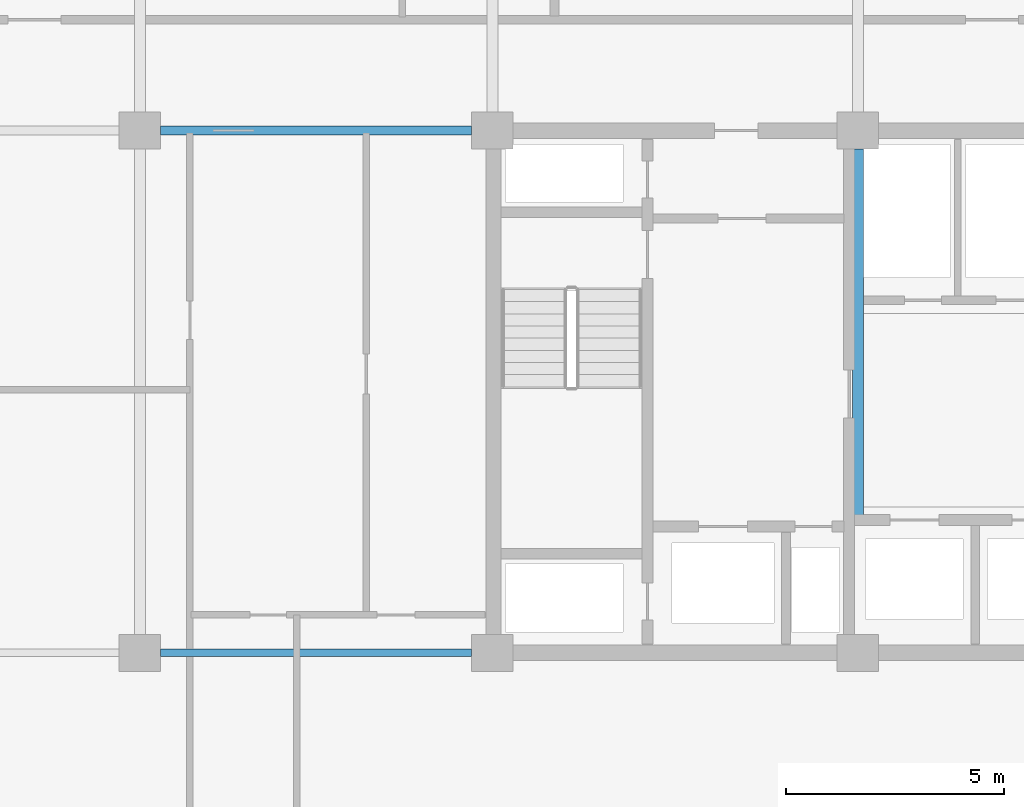
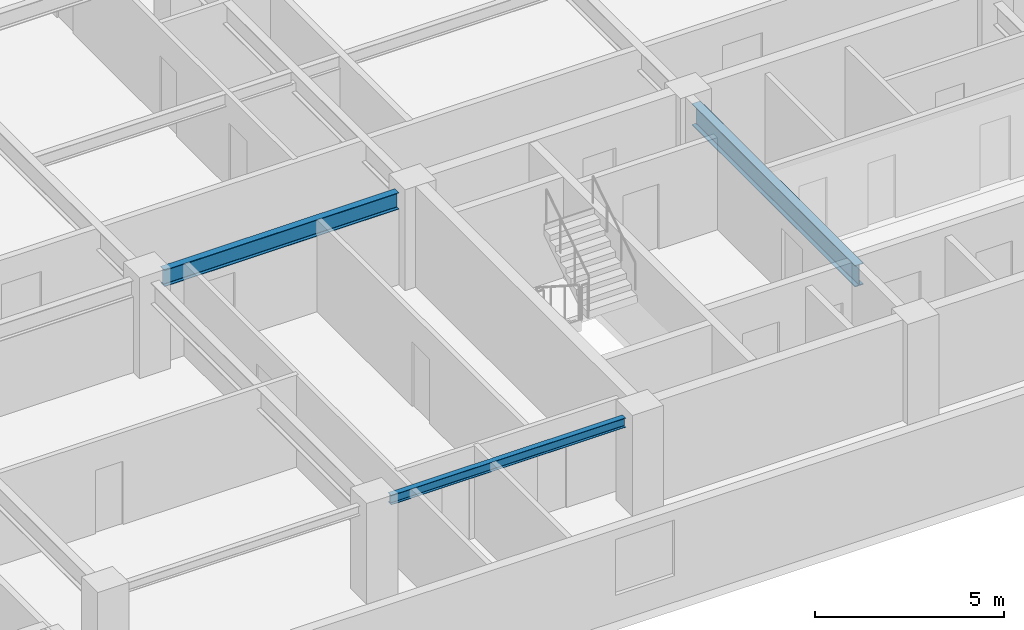
# One storey, part 11 of 38: 3 beams.
"""IFC4 building model written with IfcOpenShell, lengths in metres."""

from ifc_helpers import new_model, si_unit, direction, frame, origin, origin_2d, place, context, subcontext, project, spatial, i_section, extrude, material, material_profile, profile_set, type_object, element, save


model = new_model("IFC4")

# Units and contexts
model_context = context("Model", 3, precision=1e-05, world=origin(), true_north=direction((0.0, 1.0)))
body_context = subcontext(model_context, "Body", "Model", "MODEL_VIEW")
ifc_project = project(units=[si_unit("LENGTHUNIT", "METRE"), si_unit("AREAUNIT", "SQUARE_METRE"), si_unit("VOLUMEUNIT", "CUBIC_METRE"), si_unit("PLANEANGLEUNIT", "RADIAN"), si_unit("MASSUNIT", "GRAM", prefix="KILO")], contexts=[model_context])

# Site, building, storey
site_placement = place(None, origin())
site = spatial("IfcSite", under=ifc_project, at=site_placement, CompositionType="ELEMENT")
building_placement = place(site_placement, origin())
building = spatial("IfcBuilding", under=site, at=building_placement, Name="Korimba Cascade Residences", CompositionType="ELEMENT")
storey_placement = place(building_placement, frame((0.0, 0.0, 93.800048828125)))
storey = spatial("IfcBuildingStorey", under=building, at=storey_placement, Name="L26", CompositionType="ELEMENT", Elevation=93.800048828125)

# Beams
ifc_material = material(Name="Steel S355", Category="steel")
ifc_material_profile_1 = material_profile(ifc_material, i_section(OverallWidth=0.165771484375, OverallDepth=0.306640625, WebThickness=0.006591796875, FlangeThickness=0.01171875, FilletRadius=0.0087890625, at=origin_2d()), Name="Steel S355")
ifc_profile_set_1 = profile_set([ifc_material_profile_1], Name="Steel S355")
beam_type_1 = type_object("IfcBeamType", Name="BM-STL-UB305", PredefinedType="SPANDREL", material=ifc_profile_set_1)
beam_1_placement = place(storey_placement, frame((68.47509765625, 55.199951171875, 2.816650390625), z_axis=(1.0, 0.0, 0.0), x_axis=(0.0, 1.0, 0.0)))
element("IfcBeam", 1, at=beam_1_placement, inside=storey, type_object=beam_type_1, Name="L26 T1 E-W Girder Y1 Bay 2", PredefinedType="SPANDREL", context=body_context, shape_type="SweptSolid", body=[
    extrude(i_section(OverallWidth=0.165771484375, OverallDepth=0.306640625, WebThickness=0.006591796875, FlangeThickness=0.01171875, FilletRadius=0.0087890625, at=origin_2d()), origin(), (0.0, 0.0, 1.0), 7.14990234375),
])
ifc_material_profile_2 = material_profile(ifc_material, i_section(OverallWidth=0.2099609375, OverallDepth=0.53662109375, WebThickness=0.0107421875, FlangeThickness=0.017333984375, FilletRadius=0.0126953125, at=origin_2d()), Name="Steel S355")
ifc_profile_set_2 = profile_set([ifc_material_profile_2], Name="Steel S355")
beam_type_2 = type_object("IfcBeamType", Name="BM-STL-UB533", PredefinedType="BEAM", material=ifc_profile_set_2)
beam_2_placement = place(storey_placement, frame((68.47509765625, 67.199951171875, 2.70166015625), z_axis=(1.0, 0.0, 0.0), x_axis=(0.0, 1.0, 0.0)))
element("IfcBeam", 2, at=beam_2_placement, inside=storey, type_object=beam_type_2, Name="L26 T1 E-W Girder Y2 Bay 2", PredefinedType="BEAM", context=body_context, shape_type="SweptSolid", body=[
    extrude(i_section(OverallWidth=0.2099609375, OverallDepth=0.53662109375, WebThickness=0.0107421875, FlangeThickness=0.017333984375, FilletRadius=0.0126953125, at=origin_2d()), origin(), (0.0, 0.0, 1.0), 7.14990234375),
])
ifc_material_profile_3 = material_profile(ifc_material, i_section(OverallWidth=0.255859375, OverallDepth=0.69287109375, WebThickness=0.014404296875, FlangeThickness=0.023681640625, FilletRadius=0.01513671875, at=origin_2d()), Name="Steel S355")
ifc_profile_set_3 = profile_set([ifc_material_profile_3], Name="Steel S355")
beam_type_3 = type_object("IfcBeamType", Name="BM-STL-UB686", PredefinedType="BEAM", material=ifc_profile_set_3)
beam_3_placement = place(storey_placement, frame((84.5, 58.159912109375, 2.62353515625), z_axis=(0.0, 1.0, 0.0), x_axis=(-1.0, 0.0, 0.0)))
element("IfcBeam", 3, at=beam_3_placement, inside=storey, type_object=beam_type_3, Name="L26 T1 N-S Girder X4 Seg 1", PredefinedType="BEAM", context=body_context, shape_type="SweptSolid", body=[
    extrude(i_section(OverallWidth=0.255859375, OverallDepth=0.69287109375, WebThickness=0.014404296875, FlangeThickness=0.023681640625, FilletRadius=0.01513671875, at=origin_2d()), origin(), (0.0, 0.0, 1.0), 8.614990234375),
])

save(model, "model.ifc")
